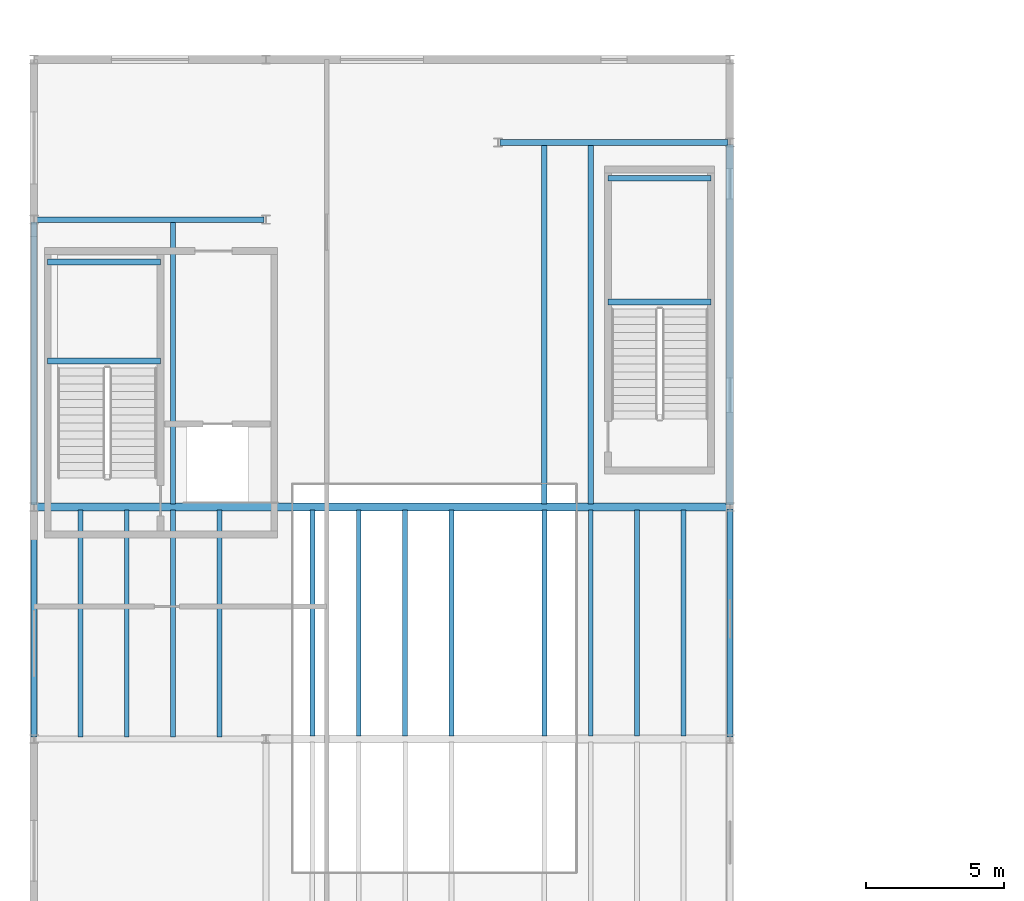
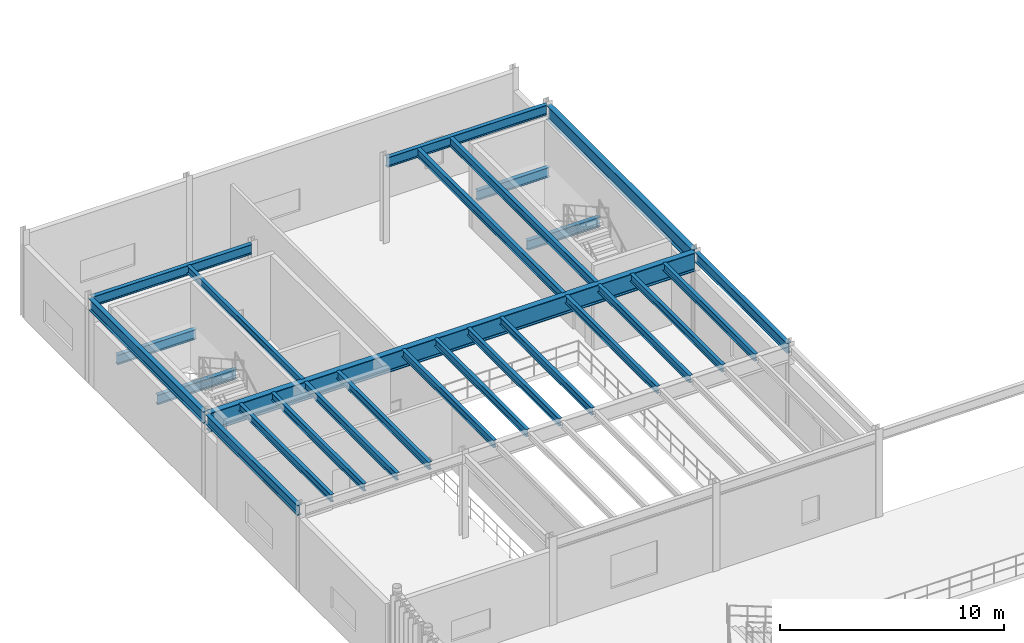
# One storey, part 56 of 105: 26 beams.
"""IFC4 building model written with IfcOpenShell, lengths in metres."""

import ifcopenshell
import ifcopenshell.guid

model = None  # the IFC model being written
_history = None  # IfcOwnerHistory: only IFC2X3 demands one
_inside = {}  # id of a spatial element -> (the spatial element, [elements in it])
_under = {}  # id of a project, library or spatial element -> (it, [spatial elements below it])
_declared = {}  # id of a project -> (the project, [libraries it declares])
_typed = {}  # id of a type object -> (the type object, [elements of that type])
_made_of = {}  # id of a material, layer set ... -> (it, [elements and type objects made of it])


def new_model(schema):
    """Start an empty IFC model of exactly this schema.

    Asked for "IFC4X3", IfcOpenShell would pick the latest addendum, in which some entities
    have other attributes; the version numbers below select the first issue.
    IFC2X3 requires an IfcOwnerHistory on every rooted entity: one is made here for all.
    """
    global model, _history
    if schema == "IFC4X3":
        model = ifcopenshell.file(schema_version=(4, 3, 0, 0))
    else:
        model = ifcopenshell.file(schema=schema)
    _inside.clear()
    _under.clear()
    _declared.clear()
    _typed.clear()
    _made_of.clear()
    _history = None
    if model.schema == "IFC2X3":
        org = make("IfcOrganization", Name="unknown")
        user = make(
            "IfcPersonAndOrganization",
            ThePerson=make("IfcPerson", FamilyName="unknown"),
            TheOrganization=org,
        )
        app = make(
            "IfcApplication",
            ApplicationDeveloper=org,
            Version="unknown",
            ApplicationFullName="unknown",
            ApplicationIdentifier="unknown",
        )
        _history = make(
            "IfcOwnerHistory",
            OwningUser=user,
            OwningApplication=app,
            ChangeAction="ADDED",
            CreationDate=0,
        )
    return model


def make(cls, **values):
    """One entity of the class cls with the attributes given. An attribute that is None is left unset."""
    return model.create_entity(
        cls, **{name: value for name, value in values.items() if value is not None}
    )


def rooted(cls, **values):
    """An entity with a GlobalId (a new one), such as an element, a storey or a relation."""
    return make(cls, GlobalId=ifcopenshell.guid.new(), OwnerHistory=_history, **values)


def si_unit(unit_type, name, prefix=None):
    """IfcSIUnit, for example si_unit("LENGTHUNIT", "METRE", prefix="MILLI")."""
    return make("IfcSIUnit", UnitType=unit_type, Prefix=prefix, Name=name)


def assignment(units):
    """IfcUnitAssignment: the units of a project."""
    return None if units is None else make("IfcUnitAssignment", Units=units)


def point(xyz):
    """IfcCartesianPoint."""
    return None if xyz is None else make("IfcCartesianPoint", Coordinates=xyz)


def direction(xyz):
    """IfcDirection."""
    return None if xyz is None else make("IfcDirection", DirectionRatios=xyz)


def frame(location, z_axis=None, x_axis=None):
    """IfcAxis2Placement3D, a coordinate frame: its origin and axes. An axis left out is left unset."""
    return make(
        "IfcAxis2Placement3D",
        Location=point(location),
        Axis=direction(z_axis),
        RefDirection=direction(x_axis),
    )


def frame_2d(location, x_axis=None):
    """IfcAxis2Placement2D, a coordinate frame in the plane: its origin and x axis."""
    return make(
        "IfcAxis2Placement2D", Location=point(location), RefDirection=direction(x_axis)
    )


def origin():
    """The frame at (0, 0, 0) with its axes left unset."""
    return frame((0.0, 0.0, 0.0))


def origin_2d():
    """The frame at (0, 0) in the plane with its x axis left unset."""
    return frame_2d((0.0, 0.0))


def place(relative_to, where):
    """IfcLocalPlacement: puts the frame where relative to a parent placement (None: the world)."""
    return make(
        "IfcLocalPlacement", PlacementRelTo=relative_to, RelativePlacement=where
    )


def context(
    kind, dimensions, precision=None, world=None, true_north=None, identifier=None
):
    """IfcGeometricRepresentationContext, for example the 3D "Model" context."""
    return make(
        "IfcGeometricRepresentationContext",
        ContextIdentifier=identifier,
        ContextType=kind,
        CoordinateSpaceDimension=dimensions,
        Precision=precision,
        WorldCoordinateSystem=world,
        TrueNorth=true_north,
    )


def subcontext(parent, identifier, kind, view, scale=None):
    """IfcGeometricRepresentationSubContext, for example "Body" below "Model"."""
    return make(
        "IfcGeometricRepresentationSubContext",
        ContextIdentifier=identifier,
        ContextType=kind,
        ParentContext=parent,
        TargetScale=scale,
        TargetView=view,
    )


def project(units=None, contexts=None):
    """IfcProject with its units and contexts."""
    return rooted(
        "IfcProject",
        Name="project",
        RepresentationContexts=contexts,
        UnitsInContext=assignment(units),
    )


def spatial(cls, under=None, at=None, **own):
    """A site, building, storey or space (cls), placed at a placement, below another one or the project."""
    s = rooted(cls, ObjectPlacement=at, **own)
    if under is not None:
        _under.setdefault(under.id(), (under, []))[1].append(s)
    return s


def profile(cls, at=None, kind="AREA", **sizes):
    """A parametric profile (cls). Its sizes go by their IFC names, for example OverallWidth=200.0."""
    return make(cls, ProfileType=kind, Position=at, **sizes)


def i_section(**sizes):
    """IfcIShapeProfileDef."""
    return profile("IfcIShapeProfileDef", **sizes)


def extrude(swept, where, along, depth):
    """IfcExtrudedAreaSolid: the profile swept, set in the frame where, extruded along a direction by depth."""
    return make(
        "IfcExtrudedAreaSolid",
        SweptArea=swept,
        Position=where,
        ExtrudedDirection=direction(along),
        Depth=depth,
    )


def shape(context_of_items, identifier, shape_type, items):
    """IfcShapeRepresentation: the items that make up one representation, for example the "Body"."""
    return make(
        "IfcShapeRepresentation",
        ContextOfItems=context_of_items,
        RepresentationIdentifier=identifier,
        RepresentationType=shape_type,
        Items=items,
    )


def material(Name=None, Category=None):
    """IfcMaterial."""
    return make("IfcMaterial", Name=Name, Category=Category)


def material_profile(
    of_material, cross_section, Name=None, Category=None, Priority=None
):
    """IfcMaterialProfile: a cross section and its material."""
    return make(
        "IfcMaterialProfile",
        Name=Name,
        Material=of_material,
        Profile=cross_section,
        Priority=Priority,
        Category=Category,
    )


def profile_set(profiles, Name=None, composite=None):
    """IfcMaterialProfileSet."""
    return make(
        "IfcMaterialProfileSet",
        Name=Name,
        MaterialProfiles=profiles,
        CompositeProfile=composite,
    )


def made_of(thing, what):
    """Note that an element or type object is made of a material, layer set ...; save() writes the relation."""
    if what is not None:
        _made_of.setdefault(what.id(), (what, []))[1].append(thing)
    return thing


def type_object(cls, material=None, **own):
    """A type object (cls), such as IfcWallType, which elements share."""
    return made_of(rooted(cls, **own), material)


def element(
    cls,
    number,
    at=None,
    inside=None,
    cuts=None,
    type_object=None,
    material=None,
    context=None,
    identifier="Body",
    shape_type=None,
    held_by="IfcProductDefinitionShape",
    body=None,
    shapes=None,
    **own,
):
    """One element of the class cls, such as IfcWall. Its Tag is "e" and its number.

    at: its placement. inside: the storey or other place that contains it. cuts: it is an
    opening in that element (IfcRelVoidsElement). A single representation is given by context,
    identifier, shape_type and body (its items); several are given by shapes. held_by: the class
    of the entity that holds the representations. save() writes the other relations.
    """
    e = rooted(cls, Tag="e%d" % number, ObjectPlacement=at, **own)
    if body is not None:
        shapes = [shape(context, identifier, shape_type, body)]
    if shapes is not None:
        e.Representation = make(held_by, Representations=shapes)
    if inside is not None:
        _inside.setdefault(inside.id(), (inside, []))[1].append(e)
    if cuts is not None:
        rooted(
            "IfcRelVoidsElement", RelatingBuildingElement=cuts, RelatedOpeningElement=e
        )
    if type_object is not None:
        _typed.setdefault(type_object.id(), (type_object, []))[1].append(e)
    return made_of(e, material)


def aggregate(whole, parts):
    """IfcRelAggregates: a whole, such as a stair, and the parts it consists of."""
    return rooted("IfcRelAggregates", RelatingObject=whole, RelatedObjects=parts)


def save(model, path):
    """Write the relations noted so far, then the file.

    IfcRelAggregates (storeys below a building ...), IfcRelContainedInSpatialStructure (elements
    in a storey), IfcRelDefinesByType, IfcRelAssociatesMaterial and IfcRelDeclares: one each for
    every whole, place, type object, material and project.
    """
    for whole, parts in _under.values():
        aggregate(whole, parts)
    for where, things in _inside.values():
        rooted(
            "IfcRelContainedInSpatialStructure",
            RelatedElements=things,
            RelatingStructure=where,
        )
    for kind, things in _typed.values():
        rooted("IfcRelDefinesByType", RelatedObjects=things, RelatingType=kind)
    for what, things in _made_of.values():
        rooted("IfcRelAssociatesMaterial", RelatedObjects=things, RelatingMaterial=what)
    for by, libraries in _declared.values():
        rooted("IfcRelDeclares", RelatingContext=by, RelatedDefinitions=libraries)
    model.write(path)


model = new_model("IFC4")

# Units and contexts
model_context = context("Model", 3, precision=1e-05, world=origin(), true_north=direction((0.0, 1.0)))
body_context = subcontext(model_context, "Body", "Model", "MODEL_VIEW")
ifc_project = project(units=[si_unit("LENGTHUNIT", "METRE"), si_unit("AREAUNIT", "SQUARE_METRE"), si_unit("VOLUMEUNIT", "CUBIC_METRE"), si_unit("PLANEANGLEUNIT", "RADIAN"), si_unit("MASSUNIT", "GRAM", prefix="KILO")], contexts=[model_context])

# Site, building, storey
site_placement = place(None, origin())
site = spatial("IfcSite", under=ifc_project, at=site_placement, CompositionType="ELEMENT")
building_placement = place(site_placement, origin())
building = spatial("IfcBuilding", under=site, at=building_placement, Name="Selat Folded Stagehouse", CompositionType="ELEMENT")
storey_placement = place(building_placement, frame((0.0, 0.0, 10.199951171875)))
storey = spatial("IfcBuildingStorey", under=building, at=storey_placement, Name="L02", CompositionType="ELEMENT", Elevation=10.199951171875)

# Beams
ifc_material_1 = material(Name="Steel S355", Category="steel")
ifc_material_profile_1 = material_profile(ifc_material_1, i_section(OverallWidth=0.210693359375, OverallDepth=0.53955078125, WebThickness=0.01171875, FlangeThickness=0.018798828125, FilletRadius=0.0126953125, at=origin_2d()), Name="UKB 533x210x109")
ifc_profile_set_1 = profile_set([ifc_material_profile_1], Name="Steel S355")
beam_type_1 = type_object("IfcBeamType", Name="BM-GIRD-533x210x109", PredefinedType="BEAM", material=ifc_profile_set_1)
for number, where, z_axis, x_axis, name in (
    (1, (0.0, 62.47705078125, 4.310302734375), (0.0, 1.0, 0.0), (-1.0, 0.0, 0.0), "L02 primary y-girder 1036"),
    (2, (25.199951171875, 62.47705078125, 4.310302734375), (0.0, 1.0, 0.0), (-1.0, 0.0, 0.0), "L02 primary y-girder 1040"),
):
    element("IfcBeam", number, at=place(storey_placement, frame(where, z_axis=z_axis, x_axis=x_axis)), inside=storey, type_object=beam_type_1, Name=name, PredefinedType="BEAM", context=body_context, shape_type="SweptSolid", body=[
        extrude(i_section(OverallWidth=0.210693359375, OverallDepth=0.53955078125, WebThickness=0.01171875, FlangeThickness=0.018798828125, FilletRadius=0.0126953125, at=origin_2d()), origin(), (0.0, 0.0, 1.0), 8.245849609375),
    ])
ifc_material_profile_2 = material_profile(ifc_material_1, i_section(OverallWidth=0.209228515625, OverallDepth=0.533203125, WebThickness=0.010009765625, FlangeThickness=0.015625, FilletRadius=0.0126953125, at=origin_2d()), Name="UKB 533x210x92")
ifc_profile_set_2 = profile_set([ifc_material_profile_2], Name="Steel S355")
beam_type_2 = type_object("IfcBeamType", Name="BM-GIRD-533x210x92", PredefinedType="BEAM", material=ifc_profile_set_2)
for number, where, z_axis, x_axis, name in (
    (3, (0.076904296875, 81.199951171875, 4.3134765625), (1.0, 0.0, 0.0), (0.0, 1.0, 0.0), "L02 primary x-girder 1034"),
    (4, (16.876953125, 84.0, 4.3134765625), (1.0, 0.0, 0.0), (0.0, 1.0, 0.0), "L02 primary x-girder 1035"),
):
    element("IfcBeam", number, at=place(storey_placement, frame(where, z_axis=z_axis, x_axis=x_axis)), inside=storey, type_object=beam_type_2, Name=name, PredefinedType="BEAM", context=body_context, shape_type="SweptSolid", body=[
        extrude(i_section(OverallWidth=0.209228515625, OverallDepth=0.533203125, WebThickness=0.010009765625, FlangeThickness=0.015625, FilletRadius=0.0126953125, at=origin_2d()), origin(), (0.0, 0.0, 1.0), 8.24609375),
    ])
for number, where, z_axis, x_axis, name in (
    (5, (0.5, 76.080078125, 1.933349609375), (1.0, 0.0, 0.0), (0.0, 1.0, 0.0), "L02 ST-05 landing support beam 1"),
    (6, (0.5, 79.669921875, 1.933349609375), (1.0, 0.0, 0.0), (0.0, 1.0, 0.0), "L02 ST-05 landing support beam 2"),
):
    element("IfcBeam", number, at=place(storey_placement, frame(where, z_axis=z_axis, x_axis=x_axis)), inside=storey, type_object=beam_type_2, Name=name, PredefinedType="BEAM", context=body_context, shape_type="SweptSolid", body=[
        extrude(i_section(OverallWidth=0.209228515625, OverallDepth=0.533203125, WebThickness=0.010009765625, FlangeThickness=0.015625, FilletRadius=0.0126953125, at=origin_2d()), origin(), (0.0, 0.0, 1.0), 4.080078125),
    ])
for number, where, z_axis, x_axis, name in (
    (7, (20.780029296875, 78.219970703125, 1.933349609375), (1.0, 0.0, 0.0), (0.0, 1.0, 0.0), "L02 ST-07 landing support beam 1"),
    (8, (20.780029296875, 82.699951171875, 1.933349609375), (1.0, 0.0, 0.0), (0.0, 1.0, 0.0), "L02 ST-07 landing support beam 2"),
):
    element("IfcBeam", number, at=place(storey_placement, frame(where, z_axis=z_axis, x_axis=x_axis)), inside=storey, type_object=beam_type_2, Name=name, PredefinedType="BEAM", context=body_context, shape_type="SweptSolid", body=[
        extrude(i_section(OverallWidth=0.209228515625, OverallDepth=0.533203125, WebThickness=0.010009765625, FlangeThickness=0.015625, FilletRadius=0.0126953125, at=origin_2d()), origin(), (0.0, 0.0, 1.0), 3.739990234375),
    ])
ifc_material_profile_3 = material_profile(ifc_material_1, i_section(OverallWidth=0.230224609375, OverallDepth=0.6171875, WebThickness=0.01318359375, FlangeThickness=0.022216796875, FilletRadius=0.0126953125, at=origin_2d()), Name="UKB 610x229x140")
ifc_profile_set_3 = profile_set([ifc_material_profile_3], Name="Steel S355")
beam_type_3 = type_object("IfcBeamType", Name="BM-GIRD-610x229x140", PredefinedType="BEAM", material=ifc_profile_set_3)
beam_1_placement = place(storey_placement, frame((0.0, 70.876953125, 4.271484375), z_axis=(0.0, 1.0, 0.0), x_axis=(-1.0, 0.0, 0.0)))
element("IfcBeam", 9, at=beam_1_placement, inside=storey, type_object=beam_type_3, Name="L02 primary y-girder 1037", PredefinedType="BEAM", context=body_context, shape_type="SweptSolid", body=[
    extrude(i_section(OverallWidth=0.230224609375, OverallDepth=0.6171875, WebThickness=0.01318359375, FlangeThickness=0.022216796875, FilletRadius=0.0126953125, at=origin_2d()), origin(), (0.0, 0.0, 1.0), 10.24609375),
])
ifc_material_profile_4 = material_profile(ifc_material_1, i_section(OverallWidth=0.26806640625, OverallDepth=0.769775390625, WebThickness=0.015625, FlangeThickness=0.025390625, FilletRadius=0.0166015625, at=origin_2d()), Name="UKB 762x267x197")
ifc_profile_set_4 = profile_set([ifc_material_profile_4], Name="Steel S355")
beam_type_4 = type_object("IfcBeamType", Name="BM-GIRD-762x267x197", PredefinedType="BEAM", material=ifc_profile_set_4)
beam_2_placement = place(storey_placement, frame((25.199951171875, 70.876953125, 4.195068359375), z_axis=(0.0, 1.0, 0.0), x_axis=(-1.0, 0.0, 0.0)))
element("IfcBeam", 10, at=beam_2_placement, inside=storey, type_object=beam_type_4, Name="L02 primary y-girder 1041", PredefinedType="BEAM", context=body_context, shape_type="SweptSolid", body=[
    extrude(i_section(OverallWidth=0.26806640625, OverallDepth=0.769775390625, WebThickness=0.015625, FlangeThickness=0.025390625, FilletRadius=0.0166015625, at=origin_2d()), origin(), (0.0, 0.0, 1.0), 13.046142578125),
])
ifc_material_2 = material(Name="Steel S460", Category="steel")
ifc_material_profile_5 = material_profile(ifc_material_2, i_section(OverallWidth=0.302001953125, OverallDepth=1.008056640625, WebThickness=0.02099609375, FlangeThickness=0.033935546875, FilletRadius=0.030029296875, at=origin_2d()), Name="UKB 1016x305x349")
ifc_profile_set_5 = profile_set([ifc_material_profile_5], Name="Steel S460")
beam_type_5 = type_object("IfcBeamType", Name="BM-XFER-1016x305x349", PredefinedType="BEAM", material=ifc_profile_set_5)
beam_3_placement = place(storey_placement, frame((0.076904296875, 70.800048828125, 4.075927734375), z_axis=(1.0, 0.0, 0.0), x_axis=(0.0, 1.0, 0.0)))
element("IfcBeam", 11, at=beam_3_placement, inside=storey, type_object=beam_type_5, Name="L02 primary x-girder 1033", PredefinedType="BEAM", context=body_context, shape_type="SweptSolid", body=[
    extrude(i_section(OverallWidth=0.302001953125, OverallDepth=1.008056640625, WebThickness=0.02099609375, FlangeThickness=0.033935546875, FilletRadius=0.030029296875, at=origin_2d()), origin(), (0.0, 0.0, 1.0), 25.046142578125),
])
ifc_material_profile_6 = material_profile(ifc_material_1, i_section(OverallWidth=0.177978515625, OverallDepth=0.406494140625, WebThickness=0.0078125, FlangeThickness=0.0126953125, FilletRadius=0.01025390625, at=origin_2d()), Name="UKB 406x178x60")
ifc_profile_set_6 = profile_set([ifc_material_profile_6], Name="Steel S355")
beam_type_6 = type_object("IfcBeamType", Name="JST-406x178x60", PredefinedType="JOIST", material=ifc_profile_set_6)
for number, where, z_axis, x_axis, name in (
    (12, (1.679931640625, 62.473388671875, 4.376953125), (0.0, 1.0, 0.0), (-1.0, 0.0, 0.0), "L02 secondary floor joist 1080"),
    (13, (3.360107421875, 62.473388671875, 4.376953125), (0.0, 1.0, 0.0), (-1.0, 0.0, 0.0), "L02 secondary floor joist 1081"),
    (14, (5.0400390625, 62.473388671875, 4.376953125), (0.0, 1.0, 0.0), (-1.0, 0.0, 0.0), "L02 secondary floor joist 1082"),
):
    element("IfcBeam", number, at=place(storey_placement, frame(where, z_axis=z_axis, x_axis=x_axis)), inside=storey, type_object=beam_type_6, Name=name, PredefinedType="JOIST", context=body_context, shape_type="SweptSolid", body=[
        extrude(i_section(OverallWidth=0.177978515625, OverallDepth=0.406494140625, WebThickness=0.0078125, FlangeThickness=0.0126953125, FilletRadius=0.01025390625, at=origin_2d()), origin(), (0.0, 0.0, 1.0), 8.220947265625),
    ])
beam_4_placement = place(storey_placement, frame((5.0400390625, 70.90576171875, 4.376953125), z_axis=(0.0, 1.0, 0.0), x_axis=(-1.0, 0.0, 0.0)))
element("IfcBeam", 15, at=beam_4_placement, inside=storey, type_object=beam_type_6, Name="L02 secondary floor joist 1083", PredefinedType="JOIST", context=body_context, shape_type="SweptSolid", body=[
    extrude(i_section(OverallWidth=0.177978515625, OverallDepth=0.406494140625, WebThickness=0.0078125, FlangeThickness=0.0126953125, FilletRadius=0.01025390625, at=origin_2d()), origin(), (0.0, 0.0, 1.0), 10.220947265625),
])
beam_5_placement = place(storey_placement, frame((6.719970703125, 62.473388671875, 4.376953125), z_axis=(0.0, 1.0, 0.0), x_axis=(-1.0, 0.0, 0.0)))
element("IfcBeam", 16, at=beam_5_placement, inside=storey, type_object=beam_type_6, Name="L02 secondary floor joist 1084", PredefinedType="JOIST", context=body_context, shape_type="SweptSolid", body=[
    extrude(i_section(OverallWidth=0.177978515625, OverallDepth=0.406494140625, WebThickness=0.0078125, FlangeThickness=0.0126953125, FilletRadius=0.01025390625, at=origin_2d()), origin(), (0.0, 0.0, 1.0), 8.220947265625),
])
for number, where, z_axis, x_axis, name in (
    (17, (10.080078125, 62.502685546875, 4.376953125), (0.0, 1.0, 0.0), (-1.0, 0.0, 0.0), "L02 secondary floor joist 1086"),
    (18, (11.760009765625, 62.502685546875, 4.376953125), (0.0, 1.0, 0.0), (-1.0, 0.0, 0.0), "L02 secondary floor joist 1088"),
    (19, (13.43994140625, 62.502685546875, 4.376953125), (0.0, 1.0, 0.0), (-1.0, 0.0, 0.0), "L02 secondary floor joist 1090"),
    (20, (15.1201171875, 62.502685546875, 4.376953125), (0.0, 1.0, 0.0), (-1.0, 0.0, 0.0), "L02 secondary floor joist 1092"),
    (21, (18.47998046875, 62.502685546875, 4.376953125), (0.0, 1.0, 0.0), (-1.0, 0.0, 0.0), "L02 secondary floor joist 1094"),
    (22, (20.159912109375, 62.502685546875, 4.376953125), (0.0, 1.0, 0.0), (-1.0, 0.0, 0.0), "L02 secondary floor joist 1097"),
    (23, (21.840087890625, 62.502685546875, 4.376953125), (0.0, 1.0, 0.0), (-1.0, 0.0, 0.0), "L02 secondary floor joist 1100"),
    (24, (23.52001953125, 62.502685546875, 4.376953125), (0.0, 1.0, 0.0), (-1.0, 0.0, 0.0), "L02 secondary floor joist 1102"),
):
    element("IfcBeam", number, at=place(storey_placement, frame(where, z_axis=z_axis, x_axis=x_axis)), inside=storey, type_object=beam_type_6, Name=name, PredefinedType="JOIST", context=body_context, shape_type="SweptSolid", body=[
        extrude(i_section(OverallWidth=0.177978515625, OverallDepth=0.406494140625, WebThickness=0.0078125, FlangeThickness=0.0126953125, FilletRadius=0.01025390625, at=origin_2d()), origin(), (0.0, 0.0, 1.0), 8.191650390625),
    ])
ifc_material_profile_7 = material_profile(ifc_material_1, i_section(OverallWidth=0.18994140625, OverallDepth=0.453369140625, WebThickness=0.008544921875, FlangeThickness=0.0126953125, FilletRadius=0.01025390625, at=origin_2d()), Name="UKB 457x191x67")
ifc_profile_set_7 = profile_set([ifc_material_profile_7], Name="Steel S355")
beam_type_7 = type_object("IfcBeamType", Name="JST-457x191x67", PredefinedType="JOIST", material=ifc_profile_set_7)
for number, where, z_axis, x_axis, name in (
    (25, (18.47998046875, 70.90576171875, 4.353271484375), (0.0, 1.0, 0.0), (-1.0, 0.0, 0.0), "L02 secondary floor joist 1095"),
    (26, (20.159912109375, 70.90576171875, 4.353271484375), (0.0, 1.0, 0.0), (-1.0, 0.0, 0.0), "L02 secondary floor joist 1098"),
):
    element("IfcBeam", number, at=place(storey_placement, frame(where, z_axis=z_axis, x_axis=x_axis)), inside=storey, type_object=beam_type_7, Name=name, PredefinedType="JOIST", context=body_context, shape_type="SweptSolid", body=[
        extrude(i_section(OverallWidth=0.18994140625, OverallDepth=0.453369140625, WebThickness=0.008544921875, FlangeThickness=0.0126953125, FilletRadius=0.01025390625, at=origin_2d()), origin(), (0.0, 0.0, 1.0), 13.02099609375),
    ])

save(model, "model.ifc")
